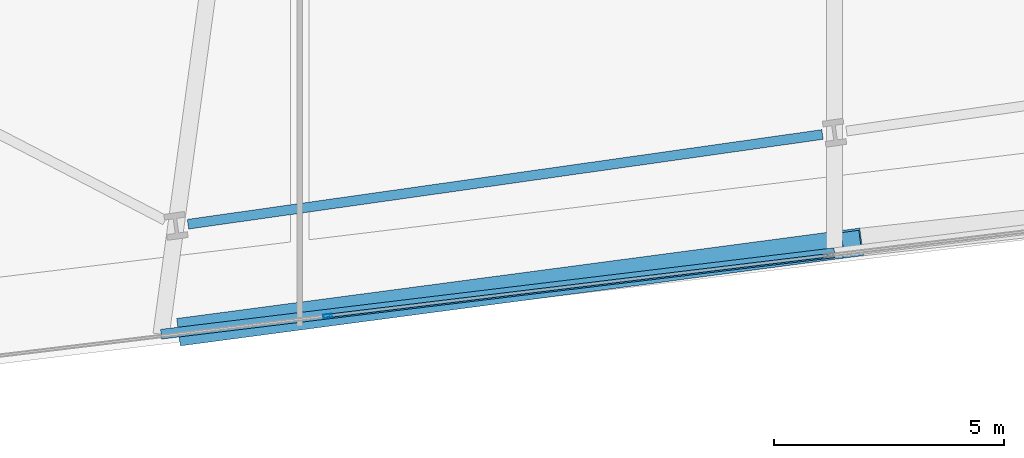
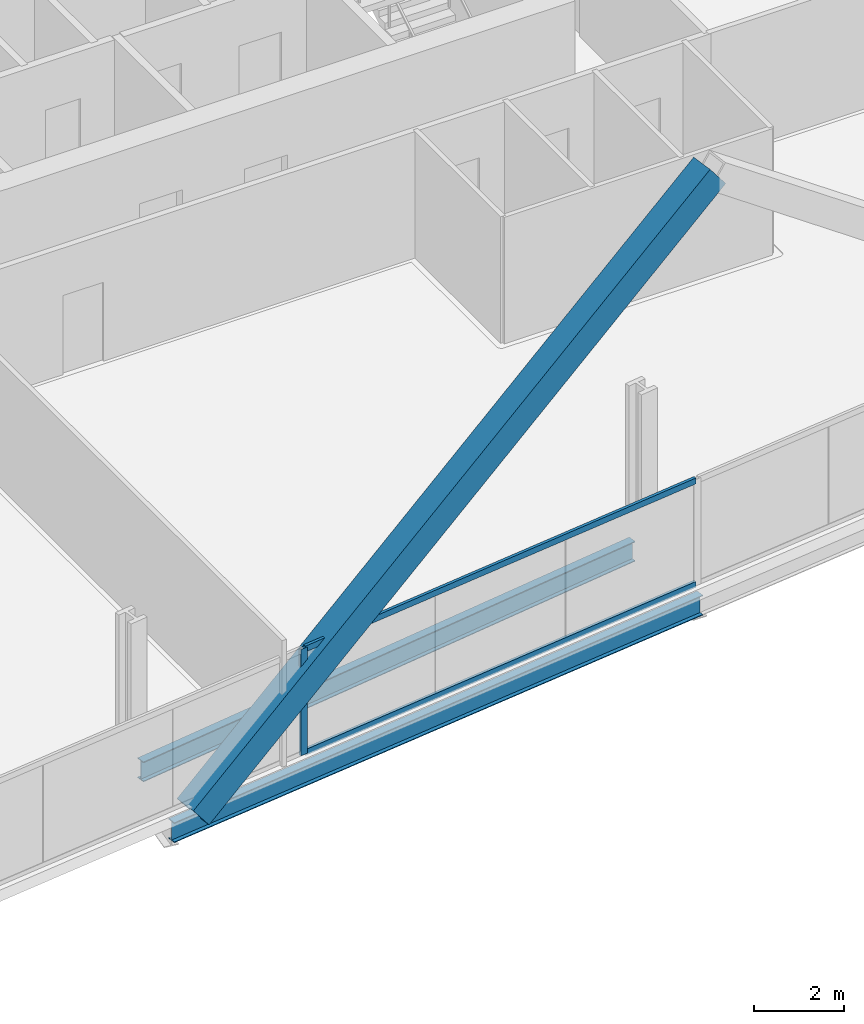
# One storey, part 5 of 33: 4 members, 2 beams, 1 element without a shape of its own.
"""IFC4 building model written with IfcOpenShell, lengths in metres."""

from ifc_helpers import new_model, si_unit, direction, frame, origin, origin_2d, place, context, subcontext, project, spatial, hollow_rectangle, i_section, extrude, material, material_profile, profile_set, type_object, element, aggregate, save


model = new_model("IFC4")

# Units and contexts
model_context = context("Model", 3, precision=1e-05, world=origin(), true_north=direction((0.0, 1.0)))
body_context = subcontext(model_context, "Body", "Model", "MODEL_VIEW")
ifc_project = project(units=[si_unit("LENGTHUNIT", "METRE"), si_unit("AREAUNIT", "SQUARE_METRE"), si_unit("VOLUMEUNIT", "CUBIC_METRE"), si_unit("PLANEANGLEUNIT", "RADIAN"), si_unit("MASSUNIT", "GRAM", prefix="KILO")], contexts=[model_context])

# Site, building, storey
site_placement = place(None, origin())
site = spatial("IfcSite", under=ifc_project, at=site_placement, CompositionType="ELEMENT")
building_placement = place(site_placement, origin())
building = spatial("IfcBuilding", under=site, at=building_placement, Name="Haldenkirk Collegiate Tower", CompositionType="ELEMENT")
storey_placement = place(building_placement, frame((0.0, 0.0, 51.449951171875)))
storey = spatial("IfcBuildingStorey", under=building, at=storey_placement, Name="L11", CompositionType="ELEMENT", Elevation=51.449951171875)

# Beams
ifc_material_1 = material(Name="Steel ASTM A992 Grade 50", Category="steel")
ifc_material_profile_1 = material_profile(ifc_material_1, i_section(OverallWidth=0.2119140625, OverallDepth=0.5439453125, WebThickness=0.01318359375, FlangeThickness=0.021240234375, at=origin_2d()), Name="W21X83")
ifc_profile_set_1 = profile_set([ifc_material_profile_1], Name="Steel ASTM A992 Grade 50")
beam_type = type_object("IfcBeamType", Name="BM-SPANDREL-W21X83", PredefinedType="SPANDREL", material=ifc_profile_set_1)
beam_1_placement = place(storey_placement, frame((25.076904296875, 2.0341796875, -0.58203125), z_axis=(0.990146197746, 0.14003752029, 0.0), x_axis=(-0.14003752029, 0.990146197746, 0.0)))
element("IfcBeam", 1, at=beam_1_placement, inside=storey, type_object=beam_type, Name="L11 perimeter spandrel beam 02", PredefinedType="SPANDREL", context=body_context, shape_type="SweptSolid", body=[
    extrude(i_section(OverallWidth=0.2119140625, OverallDepth=0.5439453125, WebThickness=0.01318359375, FlangeThickness=0.021240234375, at=origin_2d()), origin(), (0.0, 0.0, 1.0), 13.906982421875),
])
beam_2_placement = place(storey_placement, frame((24.494140625, -0.353271484375, -0.58203125), z_axis=(0.992757535708, 0.120135237524, 0.0), x_axis=(-0.120135237524, 0.992757535708, 0.0)))
element("IfcBeam", 2, at=beam_2_placement, inside=storey, type_object=beam_type, Name="L11 outer facade edge beam 1A", PredefinedType="SPANDREL", context=body_context, shape_type="SweptSolid", body=[
    extrude(i_section(OverallWidth=0.2119140625, OverallDepth=0.5439453125, WebThickness=0.01318359375, FlangeThickness=0.021240234375, at=origin_2d()), origin(), (0.0, 0.0, 1.0), 14.721435546875),
])

# Curtain wall, members
ifc_material_2 = material(Name="Anodised architectural bronze aluminium", Category="aluminium")
curtain_wall_type = type_object("IfcCurtainWallType", Name="CW-SYS2-CONCAVE", PredefinedType="USERDEFINED", material=ifc_material_2)
curtain_wall_placement = place(storey_placement, origin())
curtain_wall = element("IfcCurtainWall", 3, at=curtain_wall_placement, inside=storey, type_object=curtain_wall_type, Name="L11 South concave recessed bronze-anodised curtain wall", ObjectType="UNITISED CURTAIN WALL", PredefinedType="USERDEFINED")
ifc_material_profile_2 = material_profile(ifc_material_2, hollow_rectangle(XDim=0.074951171875, YDim=0.18994140625, WallThickness=0.0048828125, at=origin_2d()), Name="CW-MUL-02")
ifc_profile_set_2 = profile_set([ifc_material_profile_2], Name="Anodised architectural bronze aluminium")
member_type_1 = type_object("IfcMemberType", Name="CW-MUL-02", PredefinedType="MULLION", material=ifc_profile_set_2)
member_1_placement = place(storey_placement, frame((28.111083984375, 0.044189453125, 0.0), z_axis=(0.0, 0.0, 1.0), x_axis=(0.120139429238, -0.992757028453, 0.0)))
member_1 = element("IfcMember", 4, at=member_1_placement, type_object=member_type_1, Name="CW-02 mullion 4", PredefinedType="MULLION", context=body_context, shape_type="SweptSolid", body=[
    extrude(hollow_rectangle(XDim=0.074951171875, YDim=0.18994140625, WallThickness=0.0048828125, at=origin_2d()), origin(), (0.0, 0.0, 1.0), 2.89111328125),
])
ifc_material_profile_3 = material_profile(ifc_material_2, hollow_rectangle(XDim=0.074951171875, YDim=0.159912109375, WallThickness=0.0048828125, at=origin_2d()), Name="CW-TRN-02")
ifc_profile_set_3 = profile_set([ifc_material_profile_3], Name="Anodised architectural bronze aluminium")
member_type_2 = type_object("IfcMemberType", Name="CW-TRN-02", PredefinedType="USERDEFINED", material=ifc_profile_set_3)
member_2_placement = place(storey_placement, frame((38.944580078125, 1.355224609375, 0.03759765625), z_axis=(-0.9927582228, -0.12012955949, 0.0), x_axis=(0.12012955949, -0.9927582228, 0.0)))
member_2 = element("IfcMember", 5, at=member_2_placement, type_object=member_type_2, Name="CW-02 transom 3.1", ObjectType="TRANSOM", PredefinedType="USERDEFINED", context=body_context, shape_type="SweptSolid", body=[
    extrude(hollow_rectangle(XDim=0.074951171875, YDim=0.159912109375, WallThickness=0.0048828125, at=origin_2d()), origin(), (0.0, 0.0, 1.0), 10.875),
])
member_3_placement = place(storey_placement, frame((38.944580078125, 1.355224609375, 2.853515625), z_axis=(-0.9927582228, -0.12012955949, 0.0), x_axis=(0.12012955949, -0.9927582228, 0.0)))
member_3 = element("IfcMember", 6, at=member_3_placement, type_object=member_type_2, Name="CW-02 transom 3.2", ObjectType="TRANSOM", PredefinedType="USERDEFINED", context=body_context, shape_type="SweptSolid", body=[
    extrude(hollow_rectangle(XDim=0.074951171875, YDim=0.159912109375, WallThickness=0.0048828125, at=origin_2d()), origin(), (0.0, 0.0, 1.0), 10.875),
])
aggregate(curtain_wall, [member_1, member_2, member_3])

# Member
ifc_material_3 = material(Name="Steel ASTM A572 Grade 50", Category="steel")
ifc_material_profile_4 = material_profile(ifc_material_3, hollow_rectangle(XDim=0.60009765625, YDim=0.719970703125, WallThickness=0.044921875, at=origin_2d()), Name="BOX720X600X45")
ifc_profile_set_4 = profile_set([ifc_material_profile_4], Name="Steel ASTM A572 Grade 50")
member_type_3 = type_object("IfcMemberType", Name="MBR-MEGABRACE-BOX720X600X45", PredefinedType="BRACE", material=ifc_profile_set_4)
member_4_placement = place(storey_placement, frame((25.08984375, -0.281005859375, -0.320068359375), z_axis=(0.783547153085, 0.103698318443, 0.612617758185), x_axis=(-0.131200696615, 0.991355827747, 0.0)))
element("IfcMember", 7, at=member_4_placement, inside=storey, type_object=member_type_3, Name="Perimeter Mega Brace Z1 L11-L13 SL", PredefinedType="BRACE", context=body_context, shape_type="SweptSolid", body=[
    extrude(hollow_rectangle(XDim=0.60009765625, YDim=0.719970703125, WallThickness=0.044921875, at=origin_2d()), origin(), (0.0, 0.0, 1.0), 18.36376953125),
])

save(model, "model.ifc")
